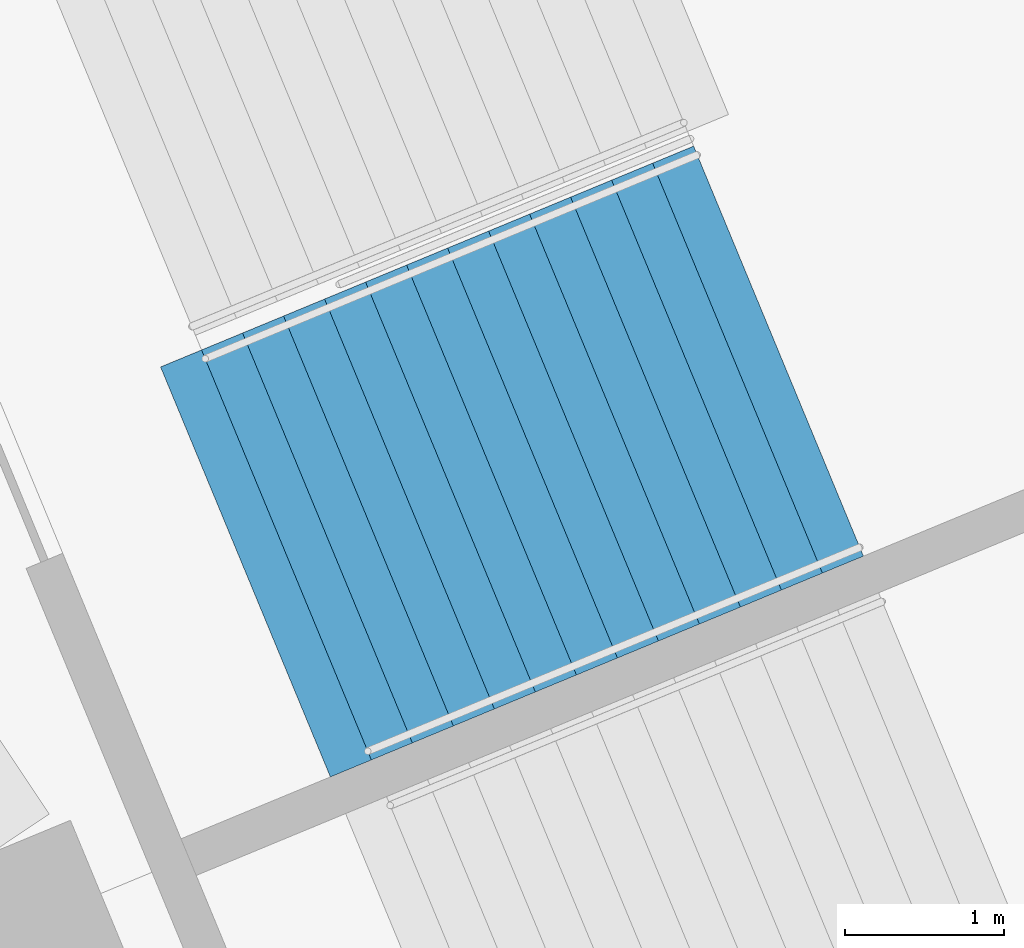
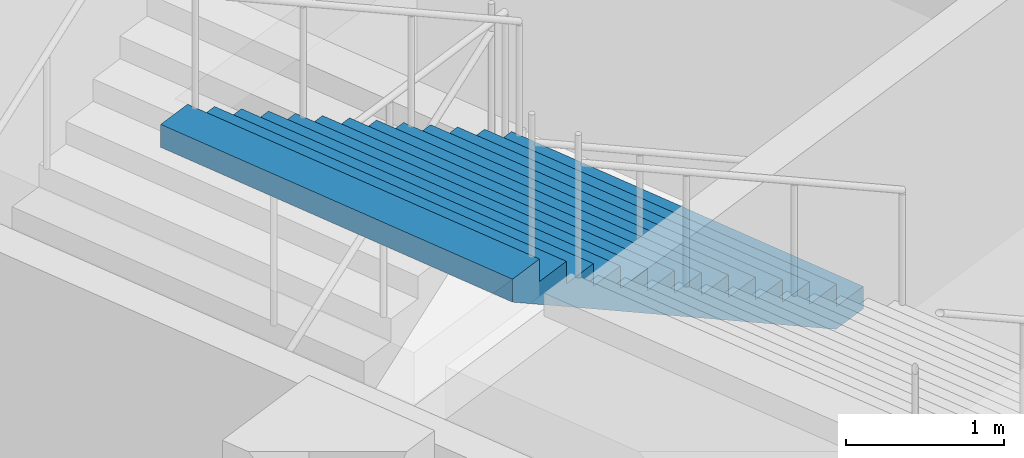
# One storey, part 147 of 175: 1 stair flight, 1 element without a shape of its own.
"""IFC4 building model written with IfcOpenShell, lengths in metres."""

from ifc_helpers import new_model, si_unit, direction, frame, origin, place, context, subcontext, project, spatial, faceted_brep, material, type_object, element, aggregate, save


model = new_model("IFC4")

# Units and contexts
model_context = context("Model", 3, precision=1e-05, world=origin(), true_north=direction((0.0, 1.0)))
body_context = subcontext(model_context, "Body", "Model", "MODEL_VIEW")
ifc_project = project(units=[si_unit("LENGTHUNIT", "METRE"), si_unit("AREAUNIT", "SQUARE_METRE"), si_unit("VOLUMEUNIT", "CUBIC_METRE"), si_unit("PLANEANGLEUNIT", "RADIAN"), si_unit("MASSUNIT", "GRAM", prefix="KILO")], contexts=[model_context])

# Site, building, storey
site_placement = place(None, origin())
site = spatial("IfcSite", under=ifc_project, at=site_placement, CompositionType="ELEMENT")
building_placement = place(site_placement, origin())
building = spatial("IfcBuilding", under=site, at=building_placement, Name="Ogive Plaza Stadium", CompositionType="ELEMENT")
storey_placement = place(building_placement, origin())
storey = spatial("IfcBuildingStorey", under=building, at=storey_placement, Name="L00", CompositionType="ELEMENT", Elevation=0.0)

# Stair, stair flight
ifc_material_1 = material(Name="Concrete C40/50", Category="concrete")
stair_type = type_object("IfcStairType", Name="Exit stair", PredefinedType="STRAIGHT_RUN_STAIR", material=ifc_material_1)
stair_placement = place(storey_placement, origin())
stair = element("IfcStair", 1, at=stair_placement, inside=storey, type_object=stair_type, Name="Exit stair ST40B L00 to L01", PredefinedType="STRAIGHT_RUN_STAIR")
ifc_material_2 = material(Name="Concrete C40/50", Category="concrete")
stair_flight_type = type_object("IfcStairFlightType", Name="Exit stair flight", PredefinedType="STRAIGHT", material=ifc_material_2)
stair_flight_placement = place(storey_placement, frame((75.64697265625, 71.4013671875, 2.25), z_axis=(0.0, 0.0, 1.0), x_axis=(-0.923879532511, -0.382683432365, 0.0)))
stair_flight = element("IfcStairFlight", 2, at=stair_flight_placement, type_object=stair_flight_type, Name="ST40B flight 2", NumberOfRisers=13, NumberOfTreads=12, PredefinedType="STRAIGHT", RiserHeight=0.173076923, TreadLength=0.28, context=body_context, shape_type="Brep", body=[
    faceted_brep([(0.28515625, -1.39990234375, 0.0), (3.639892578125, -1.39990234375, 2.07373046875), (3.639892578125, -1.39990234375, 2.25), (3.360107421875, -1.39990234375, 2.25), (3.360107421875, -1.39990234375, 2.076904296875), (3.080078125, -1.39990234375, 2.076904296875), (3.080078125, -1.39990234375, 1.90380859375), (2.800048828125, -1.39990234375, 1.90380859375), (2.800048828125, -1.39990234375, 1.730712890625), (2.52001953125, -1.39990234375, 1.730712890625), (2.52001953125, -1.39990234375, 1.5576171875), (2.239990234375, -1.39990234375, 1.5576171875), (2.239990234375, -1.39990234375, 1.384521484375), (1.9599609375, -1.39990234375, 1.384521484375), (1.9599609375, -1.39990234375, 1.21142578125), (1.679931640625, -1.39990234375, 1.21142578125), (1.679931640625, -1.39990234375, 1.03857421875), (1.39990234375, -1.39990234375, 1.03857421875), (1.39990234375, -1.39990234375, 0.865478515625), (1.1201171875, -1.39990234375, 0.865478515625), (1.1201171875, -1.39990234375, 0.6923828125), (0.840087890625, -1.39990234375, 0.6923828125), (0.840087890625, -1.39990234375, 0.519287109375), (0.56005859375, -1.39990234375, 0.519287109375), (0.56005859375, -1.39990234375, 0.34619140625), (0.280029296875, -1.39990234375, 0.34619140625), (0.280029296875, -1.39990234375, 0.173095703125), (0.0, -1.39990234375, 0.173095703125), (0.0, -1.39990234375, 0.0), (0.0, 1.39990234375, 0.0), (0.0, 1.39990234375, 0.173095703125), (0.280029296875, 1.39990234375, 0.173095703125), (0.280029296875, 1.39990234375, 0.34619140625), (0.56005859375, 1.39990234375, 0.34619140625), (0.56005859375, 1.39990234375, 0.519287109375), (0.840087890625, 1.39990234375, 0.519287109375), (0.840087890625, 1.39990234375, 0.6923828125), (1.1201171875, 1.39990234375, 0.6923828125), (1.1201171875, 1.39990234375, 0.865478515625), (1.39990234375, 1.39990234375, 0.865478515625), (1.39990234375, 1.39990234375, 1.03857421875), (1.679931640625, 1.39990234375, 1.03857421875), (1.679931640625, 1.39990234375, 1.21142578125), (1.9599609375, 1.39990234375, 1.21142578125), (1.9599609375, 1.39990234375, 1.384521484375), (2.239990234375, 1.39990234375, 1.384521484375), (2.239990234375, 1.39990234375, 1.5576171875), (2.52001953125, 1.39990234375, 1.5576171875), (2.52001953125, 1.39990234375, 1.730712890625), (2.800048828125, 1.39990234375, 1.730712890625), (2.800048828125, 1.39990234375, 1.90380859375), (3.080078125, 1.39990234375, 1.90380859375), (3.080078125, 1.39990234375, 2.076904296875), (3.360107421875, 1.39990234375, 2.076904296875), (3.360107421875, 1.39990234375, 2.25), (3.639892578125, 1.39990234375, 2.25), (3.639892578125, 1.39990234375, 2.07373046875), (0.28515625, 1.39990234375, 0.0), (0.28515625, -1.0888671875, 0.0), (3.639892578125, -1.0888671875, 2.07373046875), (0.28515625, -0.77783203125, 0.0), (3.639892578125, -0.77783203125, 2.07373046875), (0.28515625, -0.466796875, 0.0), (3.639892578125, -0.466796875, 2.07373046875), (0.28515625, -0.155517578125, 0.0), (3.639892578125, -0.155517578125, 2.07373046875), (0.28515625, 0.155517578125, 0.0), (3.639892578125, 0.155517578125, 2.07373046875), (0.28515625, 0.466796875, 0.0), (3.639892578125, 0.466796875, 2.07373046875), (0.28515625, 0.77783203125, 0.0), (3.639892578125, 0.77783203125, 2.07373046875), (0.28515625, 1.0888671875, 0.0), (3.639892578125, 1.0888671875, 2.07373046875), (3.639892578125, -1.0888671875, 2.25), (3.639892578125, -0.77783203125, 2.25), (3.639892578125, -0.466796875, 2.25), (3.639892578125, -0.155517578125, 2.25), (3.639892578125, 0.155517578125, 2.25), (3.639892578125, 0.466796875, 2.25), (3.639892578125, 0.77783203125, 2.25), (3.639892578125, 1.0888671875, 2.25), (3.360107421875, -1.0888671875, 2.25), (3.360107421875, -0.77783203125, 2.25), (3.360107421875, -0.466796875, 2.25), (3.360107421875, -0.155517578125, 2.25), (3.360107421875, 0.155517578125, 2.25), (3.360107421875, 0.466796875, 2.25), (3.360107421875, 0.77783203125, 2.25), (3.360107421875, 1.0888671875, 2.25), (3.360107421875, -1.0888671875, 2.076904296875), (3.360107421875, -0.77783203125, 2.076904296875), (3.360107421875, -0.466796875, 2.076904296875), (3.360107421875, -0.155517578125, 2.076904296875), (3.360107421875, 0.155517578125, 2.076904296875), (3.360107421875, 0.466796875, 2.076904296875), (3.360107421875, 0.77783203125, 2.076904296875), (3.360107421875, 1.0888671875, 2.076904296875), (3.080078125, -1.0888671875, 2.076904296875), (3.080078125, -0.77783203125, 2.076904296875), (3.080078125, -0.466796875, 2.076904296875), (3.080078125, -0.155517578125, 2.076904296875), (3.080078125, 0.155517578125, 2.076904296875), (3.080078125, 0.466796875, 2.076904296875), (3.080078125, 0.77783203125, 2.076904296875), (3.080078125, 1.0888671875, 2.076904296875), (3.080078125, -1.0888671875, 1.90380859375), (3.080078125, -0.77783203125, 1.90380859375), (3.080078125, -0.466796875, 1.90380859375), (3.080078125, -0.155517578125, 1.90380859375), (3.080078125, 0.155517578125, 1.90380859375), (3.080078125, 0.466796875, 1.90380859375), (3.080078125, 0.77783203125, 1.90380859375), (3.080078125, 1.0888671875, 1.90380859375), (2.800048828125, -1.0888671875, 1.90380859375), (2.800048828125, -0.77783203125, 1.90380859375), (2.800048828125, -0.466796875, 1.90380859375), (2.800048828125, -0.155517578125, 1.90380859375), (2.800048828125, 0.155517578125, 1.90380859375), (2.800048828125, 0.466796875, 1.90380859375), (2.800048828125, 0.77783203125, 1.90380859375), (2.800048828125, 1.0888671875, 1.90380859375), (2.800048828125, -1.0888671875, 1.730712890625), (2.800048828125, -0.77783203125, 1.730712890625), (2.800048828125, -0.466796875, 1.730712890625), (2.800048828125, -0.155517578125, 1.730712890625), (2.800048828125, 0.155517578125, 1.730712890625), (2.800048828125, 0.466796875, 1.730712890625), (2.800048828125, 0.77783203125, 1.730712890625), (2.800048828125, 1.0888671875, 1.730712890625), (2.52001953125, -1.0888671875, 1.730712890625), (2.52001953125, -0.77783203125, 1.730712890625), (2.52001953125, -0.466796875, 1.730712890625), (2.52001953125, -0.155517578125, 1.730712890625), (2.52001953125, 0.155517578125, 1.730712890625), (2.52001953125, 0.466796875, 1.730712890625), (2.52001953125, 0.77783203125, 1.730712890625), (2.52001953125, 1.0888671875, 1.730712890625), (2.52001953125, -1.0888671875, 1.5576171875), (2.52001953125, -0.77783203125, 1.5576171875), (2.52001953125, -0.466796875, 1.5576171875), (2.52001953125, -0.155517578125, 1.5576171875), (2.52001953125, 0.155517578125, 1.5576171875), (2.52001953125, 0.466796875, 1.5576171875), (2.52001953125, 0.77783203125, 1.5576171875), (2.52001953125, 1.0888671875, 1.5576171875), (2.239990234375, -1.0888671875, 1.5576171875), (2.239990234375, -0.77783203125, 1.5576171875), (2.239990234375, -0.466796875, 1.5576171875), (2.239990234375, -0.155517578125, 1.5576171875), (2.239990234375, 0.155517578125, 1.5576171875), (2.239990234375, 0.466796875, 1.5576171875), (2.239990234375, 0.77783203125, 1.5576171875), (2.239990234375, 1.0888671875, 1.5576171875), (2.239990234375, -1.0888671875, 1.384521484375), (2.239990234375, -0.77783203125, 1.384521484375), (2.239990234375, -0.466796875, 1.384521484375), (2.239990234375, -0.155517578125, 1.384521484375), (2.239990234375, 0.155517578125, 1.384521484375), (2.239990234375, 0.466796875, 1.384521484375), (2.239990234375, 0.77783203125, 1.384521484375), (2.239990234375, 1.0888671875, 1.384521484375), (1.9599609375, -1.0888671875, 1.384521484375), (1.9599609375, -0.77783203125, 1.384521484375), (1.9599609375, -0.466796875, 1.384521484375), (1.9599609375, -0.155517578125, 1.384521484375), (1.9599609375, 0.155517578125, 1.384521484375), (1.9599609375, 0.466796875, 1.384521484375), (1.9599609375, 0.77783203125, 1.384521484375), (1.9599609375, 1.0888671875, 1.384521484375), (1.9599609375, -1.0888671875, 1.21142578125), (1.9599609375, -0.77783203125, 1.21142578125), (1.9599609375, -0.466796875, 1.21142578125), (1.9599609375, -0.155517578125, 1.21142578125), (1.9599609375, 0.155517578125, 1.21142578125), (1.9599609375, 0.466796875, 1.21142578125), (1.9599609375, 0.77783203125, 1.21142578125), (1.9599609375, 1.0888671875, 1.21142578125), (1.679931640625, -1.0888671875, 1.21142578125), (1.679931640625, -0.77783203125, 1.21142578125), (1.679931640625, -0.466796875, 1.21142578125), (1.679931640625, -0.155517578125, 1.21142578125), (1.679931640625, 0.155517578125, 1.21142578125), (1.679931640625, 0.466796875, 1.21142578125), (1.679931640625, 0.77783203125, 1.21142578125), (1.679931640625, 1.0888671875, 1.21142578125), (1.679931640625, -1.0888671875, 1.03857421875), (1.679931640625, -0.77783203125, 1.03857421875), (1.679931640625, -0.466796875, 1.03857421875), (1.679931640625, -0.155517578125, 1.03857421875), (1.679931640625, 0.155517578125, 1.03857421875), (1.679931640625, 0.466796875, 1.03857421875), (1.679931640625, 0.77783203125, 1.03857421875), (1.679931640625, 1.0888671875, 1.03857421875), (1.39990234375, -1.0888671875, 1.03857421875), (1.39990234375, -0.77783203125, 1.03857421875), (1.39990234375, -0.466796875, 1.03857421875), (1.39990234375, -0.155517578125, 1.03857421875), (1.39990234375, 0.155517578125, 1.03857421875), (1.39990234375, 0.466796875, 1.03857421875), (1.39990234375, 0.77783203125, 1.03857421875), (1.39990234375, 1.0888671875, 1.03857421875), (1.39990234375, -1.0888671875, 0.865478515625), (1.39990234375, -0.77783203125, 0.865478515625), (1.39990234375, -0.466796875, 0.865478515625), (1.39990234375, -0.155517578125, 0.865478515625), (1.39990234375, 0.155517578125, 0.865478515625), (1.39990234375, 0.466796875, 0.865478515625), (1.39990234375, 0.77783203125, 0.865478515625), (1.39990234375, 1.0888671875, 0.865478515625), (1.1201171875, -1.0888671875, 0.865478515625), (1.1201171875, -0.77783203125, 0.865478515625), (1.1201171875, -0.466796875, 0.865478515625), (1.1201171875, -0.155517578125, 0.865478515625), (1.1201171875, 0.155517578125, 0.865478515625), (1.1201171875, 0.466796875, 0.865478515625), (1.1201171875, 0.77783203125, 0.865478515625), (1.1201171875, 1.0888671875, 0.865478515625), (1.1201171875, -1.0888671875, 0.6923828125), (1.1201171875, -0.77783203125, 0.6923828125), (1.1201171875, -0.466796875, 0.6923828125), (1.1201171875, -0.155517578125, 0.6923828125), (1.1201171875, 0.155517578125, 0.6923828125), (1.1201171875, 0.466796875, 0.6923828125), (1.1201171875, 0.77783203125, 0.6923828125), (1.1201171875, 1.0888671875, 0.6923828125), (0.840087890625, -1.0888671875, 0.6923828125), (0.840087890625, -0.77783203125, 0.6923828125), (0.840087890625, -0.466796875, 0.6923828125), (0.840087890625, -0.155517578125, 0.6923828125), (0.840087890625, 0.155517578125, 0.6923828125), (0.840087890625, 0.466796875, 0.6923828125), (0.840087890625, 0.77783203125, 0.6923828125), (0.840087890625, 1.0888671875, 0.6923828125), (0.840087890625, -1.0888671875, 0.519287109375), (0.840087890625, -0.77783203125, 0.519287109375), (0.840087890625, -0.466796875, 0.519287109375), (0.840087890625, -0.155517578125, 0.519287109375), (0.840087890625, 0.155517578125, 0.519287109375), (0.840087890625, 0.466796875, 0.519287109375), (0.840087890625, 0.77783203125, 0.519287109375), (0.840087890625, 1.0888671875, 0.519287109375), (0.56005859375, -1.0888671875, 0.519287109375), (0.56005859375, -0.77783203125, 0.519287109375), (0.56005859375, -0.466796875, 0.519287109375), (0.56005859375, -0.155517578125, 0.519287109375), (0.56005859375, 0.155517578125, 0.519287109375), (0.56005859375, 0.466796875, 0.519287109375), (0.56005859375, 0.77783203125, 0.519287109375), (0.56005859375, 1.0888671875, 0.519287109375), (0.56005859375, -1.0888671875, 0.34619140625), (0.56005859375, -0.77783203125, 0.34619140625), (0.56005859375, -0.466796875, 0.34619140625), (0.56005859375, -0.155517578125, 0.34619140625), (0.56005859375, 0.155517578125, 0.34619140625), (0.56005859375, 0.466796875, 0.34619140625), (0.56005859375, 0.77783203125, 0.34619140625), (0.56005859375, 1.0888671875, 0.34619140625), (0.280029296875, -1.0888671875, 0.34619140625), (0.280029296875, -0.77783203125, 0.34619140625), (0.280029296875, -0.466796875, 0.34619140625), (0.280029296875, -0.155517578125, 0.34619140625), (0.280029296875, 0.155517578125, 0.34619140625), (0.280029296875, 0.466796875, 0.34619140625), (0.280029296875, 0.77783203125, 0.34619140625), (0.280029296875, 1.0888671875, 0.34619140625), (0.280029296875, -1.0888671875, 0.173095703125), (0.280029296875, -0.77783203125, 0.173095703125), (0.280029296875, -0.466796875, 0.173095703125), (0.280029296875, -0.155517578125, 0.173095703125), (0.280029296875, 0.155517578125, 0.173095703125), (0.280029296875, 0.466796875, 0.173095703125), (0.280029296875, 0.77783203125, 0.173095703125), (0.280029296875, 1.0888671875, 0.173095703125), (0.0, -1.0888671875, 0.173095703125), (0.0, -0.77783203125, 0.173095703125), (0.0, -0.466796875, 0.173095703125), (0.0, -0.155517578125, 0.173095703125), (0.0, 0.155517578125, 0.173095703125), (0.0, 0.466796875, 0.173095703125), (0.0, 0.77783203125, 0.173095703125), (0.0, 1.0888671875, 0.173095703125), (0.0, -1.0888671875, 0.0), (0.0, -0.77783203125, 0.0), (0.0, -0.466796875, 0.0), (0.0, -0.155517578125, 0.0), (0.0, 0.155517578125, 0.0), (0.0, 0.466796875, 0.0), (0.0, 0.77783203125, 0.0), (0.0, 1.0888671875, 0.0)], [[[0, 1, 2, 3, 4, 5, 6, 7, 8, 9, 10, 11, 12, 13, 14, 15, 16, 17, 18, 19, 20, 21, 22, 23, 24, 25, 26, 27, 28]], [[29, 30, 31, 32, 33, 34, 35, 36, 37, 38, 39, 40, 41, 42, 43, 44, 45, 46, 47, 48, 49, 50, 51, 52, 53, 54, 55, 56, 57]], [[0, 58, 59, 1]], [[58, 60, 61, 59]], [[60, 62, 63, 61]], [[62, 64, 65, 63]], [[64, 66, 67, 65]], [[66, 68, 69, 67]], [[68, 70, 71, 69]], [[70, 72, 73, 71]], [[72, 57, 56, 73]], [[1, 59, 74, 2]], [[59, 61, 75, 74]], [[61, 63, 76, 75]], [[63, 65, 77, 76]], [[65, 67, 78, 77]], [[67, 69, 79, 78]], [[69, 71, 80, 79]], [[71, 73, 81, 80]], [[73, 56, 55, 81]], [[2, 74, 82, 3]], [[74, 75, 83, 82]], [[75, 76, 84, 83]], [[76, 77, 85, 84]], [[77, 78, 86, 85]], [[78, 79, 87, 86]], [[79, 80, 88, 87]], [[80, 81, 89, 88]], [[81, 55, 54, 89]], [[3, 82, 90, 4]], [[82, 83, 91, 90]], [[83, 84, 92, 91]], [[84, 85, 93, 92]], [[85, 86, 94, 93]], [[86, 87, 95, 94]], [[87, 88, 96, 95]], [[88, 89, 97, 96]], [[89, 54, 53, 97]], [[4, 90, 98, 5]], [[90, 91, 99, 98]], [[91, 92, 100, 99]], [[92, 93, 101, 100]], [[93, 94, 102, 101]], [[94, 95, 103, 102]], [[95, 96, 104, 103]], [[96, 97, 105, 104]], [[97, 53, 52, 105]], [[5, 98, 106, 6]], [[98, 99, 107, 106]], [[99, 100, 108, 107]], [[100, 101, 109, 108]], [[101, 102, 110, 109]], [[102, 103, 111, 110]], [[103, 104, 112, 111]], [[104, 105, 113, 112]], [[105, 52, 51, 113]], [[6, 106, 114, 7]], [[106, 107, 115, 114]], [[107, 108, 116, 115]], [[108, 109, 117, 116]], [[109, 110, 118, 117]], [[110, 111, 119, 118]], [[111, 112, 120, 119]], [[112, 113, 121, 120]], [[113, 51, 50, 121]], [[7, 114, 122, 8]], [[114, 115, 123, 122]], [[115, 116, 124, 123]], [[116, 117, 125, 124]], [[117, 118, 126, 125]], [[118, 119, 127, 126]], [[119, 120, 128, 127]], [[120, 121, 129, 128]], [[121, 50, 49, 129]], [[8, 122, 130, 9]], [[122, 123, 131, 130]], [[123, 124, 132, 131]], [[124, 125, 133, 132]], [[125, 126, 134, 133]], [[126, 127, 135, 134]], [[127, 128, 136, 135]], [[128, 129, 137, 136]], [[129, 49, 48, 137]], [[9, 130, 138, 10]], [[130, 131, 139, 138]], [[131, 132, 140, 139]], [[132, 133, 141, 140]], [[133, 134, 142, 141]], [[134, 135, 143, 142]], [[135, 136, 144, 143]], [[136, 137, 145, 144]], [[137, 48, 47, 145]], [[10, 138, 146, 11]], [[138, 139, 147, 146]], [[139, 140, 148, 147]], [[140, 141, 149, 148]], [[141, 142, 150, 149]], [[142, 143, 151, 150]], [[143, 144, 152, 151]], [[144, 145, 153, 152]], [[145, 47, 46, 153]], [[11, 146, 154, 12]], [[146, 147, 155, 154]], [[147, 148, 156, 155]], [[148, 149, 157, 156]], [[149, 150, 158, 157]], [[150, 151, 159, 158]], [[151, 152, 160, 159]], [[152, 153, 161, 160]], [[153, 46, 45, 161]], [[12, 154, 162, 13]], [[154, 155, 163, 162]], [[155, 156, 164, 163]], [[156, 157, 165, 164]], [[157, 158, 166, 165]], [[158, 159, 167, 166]], [[159, 160, 168, 167]], [[160, 161, 169, 168]], [[161, 45, 44, 169]], [[13, 162, 170, 14]], [[162, 163, 171, 170]], [[163, 164, 172, 171]], [[164, 165, 173, 172]], [[165, 166, 174, 173]], [[166, 167, 175, 174]], [[167, 168, 176, 175]], [[168, 169, 177, 176]], [[169, 44, 43, 177]], [[14, 170, 178, 15]], [[170, 171, 179, 178]], [[171, 172, 180, 179]], [[172, 173, 181, 180]], [[173, 174, 182, 181]], [[174, 175, 183, 182]], [[175, 176, 184, 183]], [[176, 177, 185, 184]], [[177, 43, 42, 185]], [[15, 178, 186, 16]], [[178, 179, 187, 186]], [[179, 180, 188, 187]], [[180, 181, 189, 188]], [[181, 182, 190, 189]], [[182, 183, 191, 190]], [[183, 184, 192, 191]], [[184, 185, 193, 192]], [[185, 42, 41, 193]], [[16, 186, 194, 17]], [[186, 187, 195, 194]], [[187, 188, 196, 195]], [[188, 189, 197, 196]], [[189, 190, 198, 197]], [[190, 191, 199, 198]], [[191, 192, 200, 199]], [[192, 193, 201, 200]], [[193, 41, 40, 201]], [[17, 194, 202, 18]], [[194, 195, 203, 202]], [[195, 196, 204, 203]], [[196, 197, 205, 204]], [[197, 198, 206, 205]], [[198, 199, 207, 206]], [[199, 200, 208, 207]], [[200, 201, 209, 208]], [[201, 40, 39, 209]], [[18, 202, 210, 19]], [[202, 203, 211, 210]], [[203, 204, 212, 211]], [[204, 205, 213, 212]], [[205, 206, 214, 213]], [[206, 207, 215, 214]], [[207, 208, 216, 215]], [[208, 209, 217, 216]], [[209, 39, 38, 217]], [[19, 210, 218, 20]], [[210, 211, 219, 218]], [[211, 212, 220, 219]], [[212, 213, 221, 220]], [[213, 214, 222, 221]], [[214, 215, 223, 222]], [[215, 216, 224, 223]], [[216, 217, 225, 224]], [[217, 38, 37, 225]], [[20, 218, 226, 21]], [[218, 219, 227, 226]], [[219, 220, 228, 227]], [[220, 221, 229, 228]], [[221, 222, 230, 229]], [[222, 223, 231, 230]], [[223, 224, 232, 231]], [[224, 225, 233, 232]], [[225, 37, 36, 233]], [[21, 226, 234, 22]], [[226, 227, 235, 234]], [[227, 228, 236, 235]], [[228, 229, 237, 236]], [[229, 230, 238, 237]], [[230, 231, 239, 238]], [[231, 232, 240, 239]], [[232, 233, 241, 240]], [[233, 36, 35, 241]], [[22, 234, 242, 23]], [[234, 235, 243, 242]], [[235, 236, 244, 243]], [[236, 237, 245, 244]], [[237, 238, 246, 245]], [[238, 239, 247, 246]], [[239, 240, 248, 247]], [[240, 241, 249, 248]], [[241, 35, 34, 249]], [[23, 242, 250, 24]], [[242, 243, 251, 250]], [[243, 244, 252, 251]], [[244, 245, 253, 252]], [[245, 246, 254, 253]], [[246, 247, 255, 254]], [[247, 248, 256, 255]], [[248, 249, 257, 256]], [[249, 34, 33, 257]], [[24, 250, 258, 25]], [[250, 251, 259, 258]], [[251, 252, 260, 259]], [[252, 253, 261, 260]], [[253, 254, 262, 261]], [[254, 255, 263, 262]], [[255, 256, 264, 263]], [[256, 257, 265, 264]], [[257, 33, 32, 265]], [[25, 258, 266, 26]], [[258, 259, 267, 266]], [[259, 260, 268, 267]], [[260, 261, 269, 268]], [[261, 262, 270, 269]], [[262, 263, 271, 270]], [[263, 264, 272, 271]], [[264, 265, 273, 272]], [[265, 32, 31, 273]], [[26, 266, 274, 27]], [[266, 267, 275, 274]], [[267, 268, 276, 275]], [[268, 269, 277, 276]], [[269, 270, 278, 277]], [[270, 271, 279, 278]], [[271, 272, 280, 279]], [[272, 273, 281, 280]], [[273, 31, 30, 281]], [[27, 274, 282, 28]], [[274, 275, 283, 282]], [[275, 276, 284, 283]], [[276, 277, 285, 284]], [[277, 278, 286, 285]], [[278, 279, 287, 286]], [[279, 280, 288, 287]], [[280, 281, 289, 288]], [[281, 30, 29, 289]], [[28, 282, 58, 0]], [[282, 283, 60, 58]], [[283, 284, 62, 60]], [[284, 285, 64, 62]], [[285, 286, 66, 64]], [[286, 287, 68, 66]], [[287, 288, 70, 68]], [[288, 289, 72, 70]], [[289, 29, 57, 72]]]),
])
aggregate(stair, [stair_flight])

save(model, "model.ifc")
